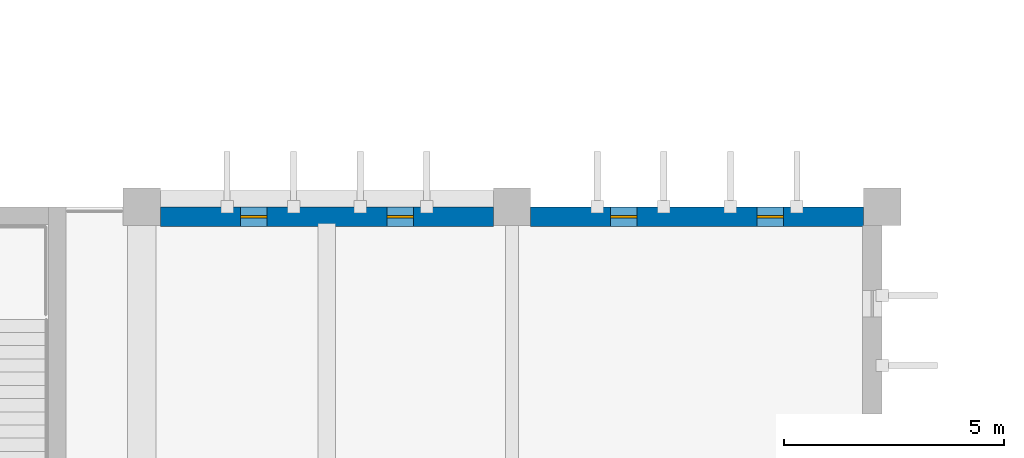
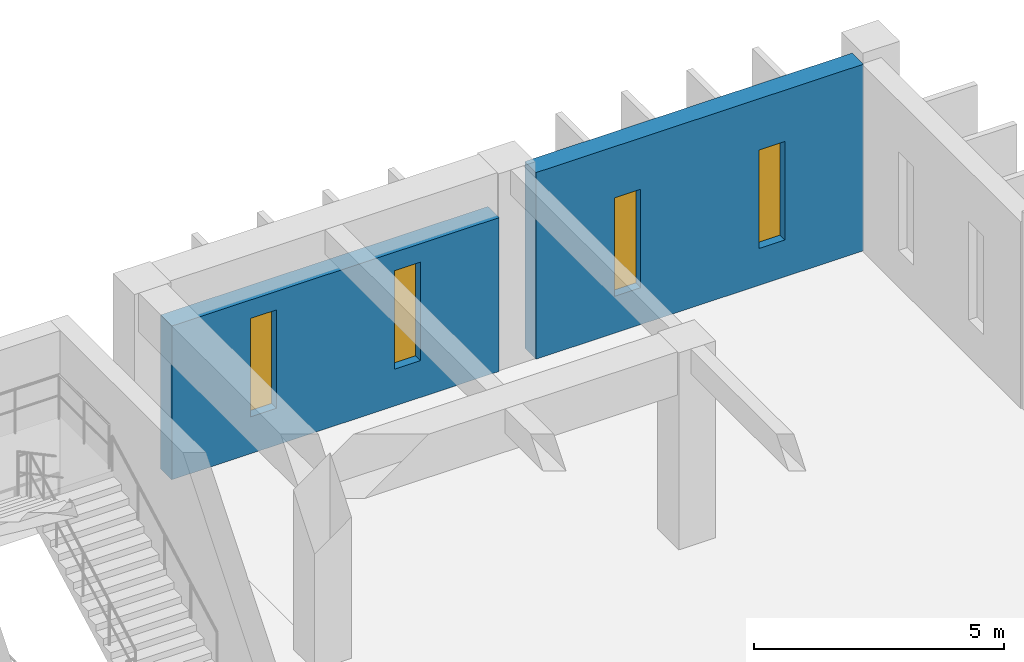
# One storey, part 37 of 51: 4 windows, 2 walls, 4 openings.
"""IFC4 building model written with IfcOpenShell, lengths in metres."""

from ifc_helpers import new_model, si_unit, direction, frame, frame_2d, origin, place, context, subcontext, project, spatial, rectangle, extrude, material, layer, layer_set, type_object, element, fill, save


model = new_model("IFC4")

# Units and contexts
model_context = context("Model", 3, precision=1e-05, world=origin(), true_north=direction((0.0, 1.0)))
body_context = subcontext(model_context, "Body", "Model", "MODEL_VIEW")
ifc_project = project(units=[si_unit("LENGTHUNIT", "METRE"), si_unit("AREAUNIT", "SQUARE_METRE"), si_unit("VOLUMEUNIT", "CUBIC_METRE"), si_unit("PLANEANGLEUNIT", "RADIAN"), si_unit("MASSUNIT", "GRAM", prefix="KILO")], contexts=[model_context])

# Site, building, storey
site_placement = place(None, origin())
site = spatial("IfcSite", under=ifc_project, at=site_placement, CompositionType="ELEMENT")
building_placement = place(site_placement, origin())
building = spatial("IfcBuilding", under=site, at=building_placement, Name="Kenerak Square Central Library", CompositionType="ELEMENT")
storey_placement = place(building_placement, frame((0.0, 0.0, 9.60009765625)))
storey = spatial("IfcBuildingStorey", under=building, at=storey_placement, Name="L02", CompositionType="ELEMENT", Elevation=9.60009765625)

# Wall, openings, windows
ifc_material_1 = material(Name="Concrete C40/50", Category="concrete")
ifc_layer = layer(ifc_material_1, 0.449951171875)
ifc_layer_set = layer_set([ifc_layer], Name="Concrete C40/50")
wall_type = type_object("IfcWallType", Name="Rare-Books Vault Exterior Wall VW-450 C40/50", PredefinedType="SOLIDWALL", material=ifc_layer_set)
wall_1_placement = place(storey_placement, frame((117.625, 110.175048828125, 0.0), z_axis=(0.0, 0.0, 1.0), x_axis=(1.0, 0.0, 0.0)))
wall_1 = element("IfcWall", 1, at=wall_1_placement, inside=storey, type_object=wall_type, Name="Exterior Facade Wall L02 0182", PredefinedType="SOLIDWALL", context=body_context, shape_type="SweptSolid", body=[
    extrude(rectangle(XDim=7.550048828125, YDim=0.449951171875, at=frame_2d((3.77490234375, 0.0))), origin(), (0.0, 0.0, 1.0), 3.75),
])
opening_1_placement = place(wall_1_placement, frame((1.81396484375, 0.0, 0.89990234375)))
opening_1 = element("IfcOpeningElement", 2, at=opening_1_placement, cuts=wall_1, Name="Opening W-01", PredefinedType="OPENING", context=body_context, shape_type="SweptSolid", body=[
    extrude(rectangle(XDim=0.60009765625, YDim=2.39990234375, at=frame_2d((0.300048828125, 1.199951171875))), frame((0.0, 0.23486328125, 0.0), z_axis=(0.0, -1.0, 0.0), x_axis=(1.0, 0.0, 0.0)), (0.0, 0.0, 1.0), 0.469970703125),
])
opening_2_placement = place(wall_1_placement, frame((5.135986328125, 0.0, 0.89990234375)))
opening_2 = element("IfcOpeningElement", 3, at=opening_2_placement, cuts=wall_1, Name="Opening W-01", PredefinedType="OPENING", context=body_context, shape_type="SweptSolid", body=[
    extrude(rectangle(XDim=0.60009765625, YDim=2.39990234375, at=frame_2d((0.300048828125, 1.199951171875))), frame((0.0, 0.23486328125, 0.0), z_axis=(0.0, -1.0, 0.0), x_axis=(1.0, 0.0, 0.0)), (0.0, 0.0, 1.0), 0.469970703125),
])
ifc_material_2 = material(Name="Solar-control low-E laminated double glazing", Category="glass")
window_type = type_object("IfcWindowType", Name="UV-Filtered Stack Slot Window W-01 600x2400", PartitioningType="SINGLE_PANEL", PredefinedType="WINDOW", material=ifc_material_2)
window_1_placement = place(opening_1_placement, origin())
window_1 = element("IfcWindow", 4, at=window_1_placement, inside=storey, type_object=window_type, Name="Window W-01 L02 0182", OverallHeight=2.39990234375, OverallWidth=0.60009765625, PartitioningType="SINGLE_PANEL", PredefinedType="WINDOW", context=body_context, shape_type="SweptSolid", body=[
    extrude(rectangle(XDim=0.60009765625, YDim=2.39990234375, at=frame_2d((0.300048828125, 1.199951171875))), frame((0.0, 0.030029296875, 0.0), z_axis=(0.0, -1.0, 0.0), x_axis=(1.0, 0.0, 0.0)), (0.0, 0.0, 1.0), 0.06005859375),
])
fill(opening_1, window_1)
window_2_placement = place(opening_2_placement, origin())
window_2 = element("IfcWindow", 5, at=window_2_placement, inside=storey, type_object=window_type, Name="Window W-01 L02 0183", OverallHeight=2.39990234375, OverallWidth=0.60009765625, PartitioningType="SINGLE_PANEL", PredefinedType="WINDOW", context=body_context, shape_type="SweptSolid", body=[
    extrude(rectangle(XDim=0.60009765625, YDim=2.39990234375, at=frame_2d((0.300048828125, 1.199951171875))), frame((0.0, 0.030029296875, 0.0), z_axis=(0.0, -1.0, 0.0), x_axis=(1.0, 0.0, 0.0)), (0.0, 0.0, 1.0), 0.06005859375),
])
fill(opening_2, window_2)

wall_2_placement = place(storey_placement, frame((126.02490234375, 110.175048828125, 0.0), z_axis=(0.0, 0.0, 1.0), x_axis=(1.0, 0.0, 0.0)))
wall_2 = element("IfcWall", 6, at=wall_2_placement, inside=storey, type_object=wall_type, Name="Exterior Facade Wall L02 0183", PredefinedType="SOLIDWALL", context=body_context, shape_type="SweptSolid", body=[
    extrude(rectangle(XDim=7.550048828125, YDim=0.449951171875, at=frame_2d((3.77490234375, 0.0))), origin(), (0.0, 0.0, 1.0), 4.5498046875),
])
opening_3_placement = place(wall_2_placement, frame((1.81396484375, 0.0, 0.89990234375)))
opening_3 = element("IfcOpeningElement", 7, at=opening_3_placement, cuts=wall_2, Name="Opening W-01", PredefinedType="OPENING", context=body_context, shape_type="SweptSolid", body=[
    extrude(rectangle(XDim=0.60009765625, YDim=2.39990234375, at=frame_2d((0.300048828125, 1.199951171875))), frame((0.0, 0.23486328125, 0.0), z_axis=(0.0, -1.0, 0.0), x_axis=(1.0, 0.0, 0.0)), (0.0, 0.0, 1.0), 0.469970703125),
])
opening_4_placement = place(wall_2_placement, frame((5.135986328125, 0.0, 0.89990234375)))
opening_4 = element("IfcOpeningElement", 8, at=opening_4_placement, cuts=wall_2, Name="Opening W-01", PredefinedType="OPENING", context=body_context, shape_type="SweptSolid", body=[
    extrude(rectangle(XDim=0.60009765625, YDim=2.39990234375, at=frame_2d((0.300048828125, 1.199951171875))), frame((0.0, 0.23486328125, 0.0), z_axis=(0.0, -1.0, 0.0), x_axis=(1.0, 0.0, 0.0)), (0.0, 0.0, 1.0), 0.469970703125),
])
window_3_placement = place(opening_3_placement, origin())
window_3 = element("IfcWindow", 9, at=window_3_placement, inside=storey, type_object=window_type, Name="Window W-01 L02 0184", OverallHeight=2.39990234375, OverallWidth=0.60009765625, PartitioningType="SINGLE_PANEL", PredefinedType="WINDOW", context=body_context, shape_type="SweptSolid", body=[
    extrude(rectangle(XDim=0.60009765625, YDim=2.39990234375, at=frame_2d((0.300048828125, 1.199951171875))), frame((0.0, 0.030029296875, 0.0), z_axis=(0.0, -1.0, 0.0), x_axis=(1.0, 0.0, 0.0)), (0.0, 0.0, 1.0), 0.06005859375),
])
fill(opening_3, window_3)
window_4_placement = place(opening_4_placement, origin())
window_4 = element("IfcWindow", 10, at=window_4_placement, inside=storey, type_object=window_type, Name="Window W-01 L02 0185", OverallHeight=2.39990234375, OverallWidth=0.60009765625, PartitioningType="SINGLE_PANEL", PredefinedType="WINDOW", context=body_context, shape_type="SweptSolid", body=[
    extrude(rectangle(XDim=0.60009765625, YDim=2.39990234375, at=frame_2d((0.300048828125, 1.199951171875))), frame((0.0, 0.030029296875, 0.0), z_axis=(0.0, -1.0, 0.0), x_axis=(1.0, 0.0, 0.0)), (0.0, 0.0, 1.0), 0.06005859375),
])
fill(opening_4, window_4)

save(model, "model.ifc")
